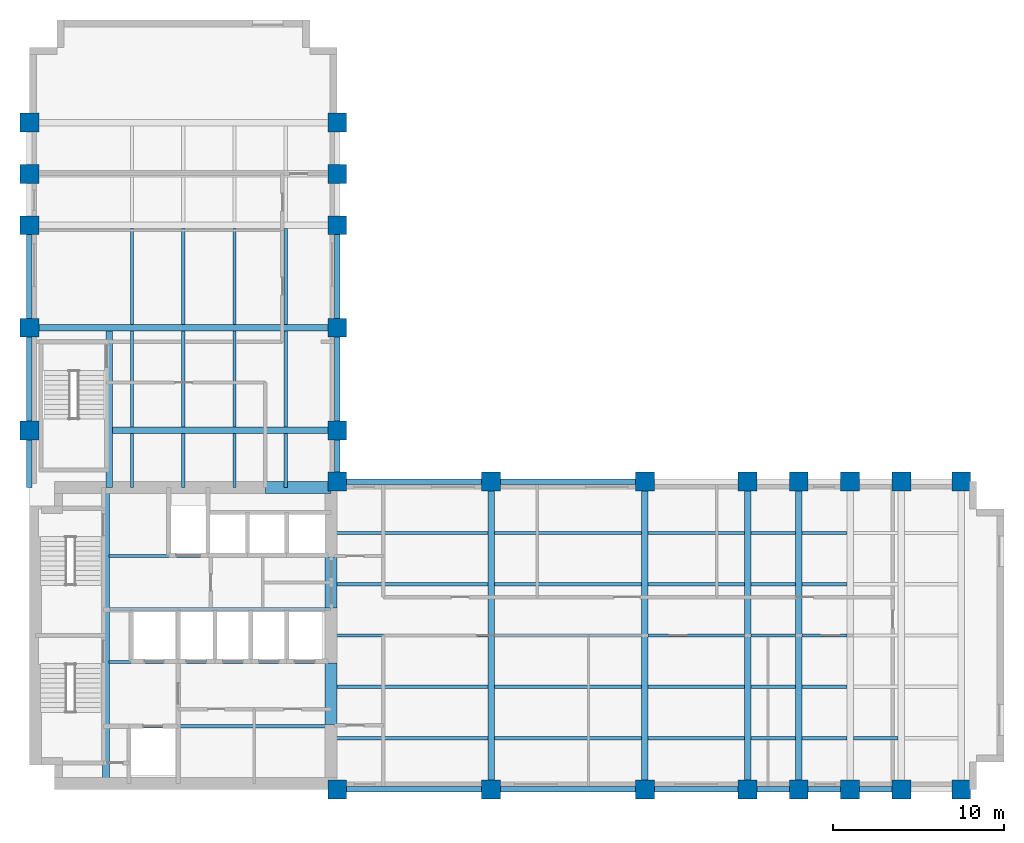
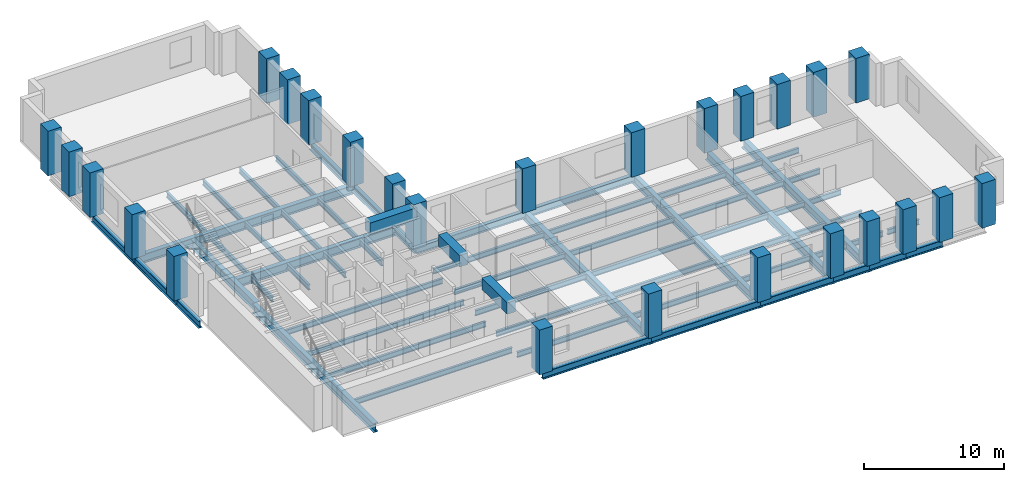
# One storey, part 1 of 7: 67 beams, 26 columns.
"""IFC4 building model written with IfcOpenShell, lengths in metres."""

from ifc_helpers import new_model, si_unit, direction, frame, origin, origin_2d, place, context, subcontext, project, spatial, rectangle, i_section, extrude, material, material_profile, profile_set, type_object, element, save


model = new_model("IFC4")

# Units and contexts
model_context = context("Model", 3, precision=1e-05, world=origin(), true_north=direction((0.0, 1.0)))
body_context = subcontext(model_context, "Body", "Model", "MODEL_VIEW")
ifc_project = project(units=[si_unit("LENGTHUNIT", "METRE"), si_unit("AREAUNIT", "SQUARE_METRE"), si_unit("VOLUMEUNIT", "CUBIC_METRE"), si_unit("PLANEANGLEUNIT", "RADIAN"), si_unit("MASSUNIT", "GRAM", prefix="KILO")], contexts=[model_context])

# Site, building, storey
site_placement = place(None, origin())
site = spatial("IfcSite", under=ifc_project, at=site_placement, CompositionType="ELEMENT")
building_placement = place(site_placement, origin())
building = spatial("IfcBuilding", under=site, at=building_placement, Name="Mawjdan Bourse Tower", CompositionType="ELEMENT")
storey_placement = place(building_placement, frame((0.0, 0.0, 112.800048828125)))
storey = spatial("IfcBuildingStorey", under=building, at=storey_placement, Name="L26", CompositionType="ELEMENT", Elevation=112.800048828125)

# Columns
ifc_material_1 = material(Name="Concrete C70/85", Category="concrete")
ifc_material_profile_1 = material_profile(ifc_material_1, rectangle(XDim=1.10009765625, YDim=1.10009765625, at=origin_2d()), Name="RC1100X1100")
ifc_profile_set_1 = profile_set([ifc_material_profile_1], Name="Concrete C70/85")
column_type = type_object("IfcColumnType", Name="COL-RC1100X1100", PredefinedType="COLUMN", material=ifc_profile_set_1)
for number, where, z_axis, x_axis, name in (
    (1, (24.0, 3.0, 0.0), (0.0, 0.0, 1.0), (1.0, 0.0, 0.0), "L26 Structural Column C-X240-Y30"),
    (2, (24.0, 21.0, 0.0), (0.0, 0.0, 1.0), (1.0, 0.0, 0.0), "L26 Structural Column C-X240-Y210"),
    (3, (33.0, 3.0, 0.0), (0.0, 0.0, 1.0), (1.0, 0.0, 0.0), "L26 Structural Column C-X330-Y30"),
    (4, (33.0, 21.0, 0.0), (0.0, 0.0, 1.0), (1.0, 0.0, 0.0), "L26 Structural Column C-X330-Y210"),
    (5, (42.0, 3.0, 0.0), (0.0, 0.0, 1.0), (1.0, 0.0, 0.0), "L26 Structural Column C-X420-Y30"),
    (6, (42.0, 21.0, 0.0), (0.0, 0.0, 1.0), (1.0, 0.0, 0.0), "L26 Structural Column C-X420-Y210"),
    (7, (48.0, 3.0, 0.0), (0.0, 0.0, 1.0), (1.0, 0.0, 0.0), "L26 Structural Column C-X480-Y30"),
    (8, (48.0, 21.0, 0.0), (0.0, 0.0, 1.0), (1.0, 0.0, 0.0), "L26 Structural Column C-X480-Y210"),
    (9, (51.0, 3.0, 0.0), (0.0, 0.0, 1.0), (1.0, 0.0, 0.0), "L26 Structural Column C-X510-Y30"),
    (10, (51.0, 21.0, 0.0), (0.0, 0.0, 1.0), (1.0, 0.0, 0.0), "L26 Structural Column C-X510-Y210"),
    (11, (54.0, 3.0, 0.0), (0.0, 0.0, 1.0), (1.0, 0.0, 0.0), "L26 Structural Column C-X540-Y30"),
    (12, (54.0, 21.0, 0.0), (0.0, 0.0, 1.0), (1.0, 0.0, 0.0), "L26 Structural Column C-X540-Y210"),
    (13, (57.0, 3.0, 0.0), (0.0, 0.0, 1.0), (1.0, 0.0, 0.0), "L26 Structural Column C-X570-Y30"),
    (14, (57.0, 21.0, 0.0), (0.0, 0.0, 1.0), (1.0, 0.0, 0.0), "L26 Structural Column C-X570-Y210"),
    (15, (60.5, 3.0, 0.0), (0.0, 0.0, 1.0), (1.0, 0.0, 0.0), "L26 Structural Column C-X605-Y30"),
    (16, (60.5, 21.0, 0.0), (0.0, 0.0, 1.0), (1.0, 0.0, 0.0), "L26 Structural Column C-X605-Y210"),
    (17, (6.0, 24.0, 0.0), (0.0, 0.0, 1.0), (1.0, 0.0, 0.0), "L26 Structural Column C-X60-Y240"),
    (18, (24.0, 24.0, 0.0), (0.0, 0.0, 1.0), (1.0, 0.0, 0.0), "L26 Structural Column C-X240-Y240"),
    (19, (6.0, 30.0, 0.0), (0.0, 0.0, 1.0), (1.0, 0.0, 0.0), "L26 Structural Column C-X60-Y300"),
    (20, (24.0, 30.0, 0.0), (0.0, 0.0, 1.0), (1.0, 0.0, 0.0), "L26 Structural Column C-X240-Y300"),
    (21, (6.0, 36.0, 0.0), (0.0, 0.0, 1.0), (1.0, 0.0, 0.0), "L26 Structural Column C-X60-Y360"),
    (22, (24.0, 36.0, 0.0), (0.0, 0.0, 1.0), (1.0, 0.0, 0.0), "L26 Structural Column C-X240-Y360"),
    (23, (6.0, 39.0, 0.0), (0.0, 0.0, 1.0), (1.0, 0.0, 0.0), "L26 Structural Column C-X60-Y390"),
    (24, (24.0, 39.0, 0.0), (0.0, 0.0, 1.0), (1.0, 0.0, 0.0), "L26 Structural Column C-X240-Y390"),
    (25, (6.0, 42.0, 0.0), (0.0, 0.0, 1.0), (1.0, 0.0, 0.0), "L26 Structural Column C-X60-Y420"),
    (26, (24.0, 42.0, 0.0), (0.0, 0.0, 1.0), (1.0, 0.0, 0.0), "L26 Structural Column C-X240-Y420"),
):
    element("IfcColumn", number, at=place(storey_placement, frame(where, z_axis=z_axis, x_axis=x_axis)), inside=storey, type_object=column_type, Name=name, PredefinedType="COLUMN", context=body_context, shape_type="SweptSolid", body=[
        extrude(rectangle(XDim=1.10009765625, YDim=1.10009765625, at=origin_2d()), origin(), (0.0, 0.0, 1.0), 3.89990234375),
    ])

# Beams
ifc_material_2 = material(Name="Structural Steel S355", Category="steel")
ifc_material_profile_2 = material_profile(ifc_material_2, i_section(OverallWidth=0.381103515625, OverallDepth=0.77294921875, WebThickness=0.0166015625, FlangeThickness=0.027099609375, FilletRadius=0.021728515625, at=origin_2d()), Name="W30X173")
ifc_profile_set_2 = profile_set([ifc_material_profile_2], Name="Structural Steel S355")
beam_type_1 = type_object("IfcBeamType", Name="GRD-W30X173", PredefinedType="BEAM", material=ifc_profile_set_2)
beam_1_placement = place(storey_placement, frame((10.47998046875, 3.35009765625, -0.586669921875), z_axis=(0.0, 1.0, 0.0), x_axis=(-1.0, 0.0, 0.0)))
element("IfcBeam", 27, at=beam_1_placement, inside=storey, type_object=beam_type_1, Name="L26 Core Stair Trimmer Girder 001", PredefinedType="BEAM", context=body_context, shape_type="SweptSolid", body=[
    extrude(i_section(OverallWidth=0.381103515625, OverallDepth=0.77294921875, WebThickness=0.0166015625, FlangeThickness=0.027099609375, FilletRadius=0.021728515625, at=origin_2d()), origin(), (0.0, 0.0, 1.0), 17.2998046875),
])
for number, where, z_axis, x_axis, name in (
    (28, (33.0, 3.0, -0.586669921875), (0.0, 1.0, 0.0), (-1.0, 0.0, 0.0), "L26 East Wing Clear-Span Girder 002"),
    (29, (42.0, 3.0, -0.586669921875), (0.0, 1.0, 0.0), (-1.0, 0.0, 0.0), "L26 East Wing Clear-Span Girder 003"),
    (30, (48.0, 3.0, -0.586669921875), (0.0, 1.0, 0.0), (-1.0, 0.0, 0.0), "L26 East Wing Clear-Span Girder 004"),
    (31, (51.0, 3.0, -0.586669921875), (0.0, 1.0, 0.0), (-1.0, 0.0, 0.0), "L26 East Wing Clear-Span Girder 005"),
):
    element("IfcBeam", number, at=place(storey_placement, frame(where, z_axis=z_axis, x_axis=x_axis)), inside=storey, type_object=beam_type_1, Name=name, PredefinedType="BEAM", context=body_context, shape_type="SweptSolid", body=[
        extrude(i_section(OverallWidth=0.381103515625, OverallDepth=0.77294921875, WebThickness=0.0166015625, FlangeThickness=0.027099609375, FilletRadius=0.021728515625, at=origin_2d()), origin(), (0.0, 0.0, 1.0), 18.0),
    ])
beam_2_placement = place(storey_placement, frame((10.679931640625, 20.64990234375, -0.586669921875), z_axis=(0.0, 1.0, 0.0), x_axis=(-1.0, 0.0, 0.0)))
element("IfcBeam", 32, at=beam_2_placement, inside=storey, type_object=beam_type_1, Name="L26 North Wing Stair Trimmer Girder 062", PredefinedType="BEAM", context=body_context, shape_type="SweptSolid", body=[
    extrude(i_section(OverallWidth=0.381103515625, OverallDepth=0.77294921875, WebThickness=0.0166015625, FlangeThickness=0.027099609375, FilletRadius=0.021728515625, at=origin_2d()), origin(), (0.0, 0.0, 1.0), 9.16162109375),
])
beam_3_placement = place(storey_placement, frame((10.868408203125, 24.0, -0.586669921875), z_axis=(1.0, 0.0, 0.0), x_axis=(0.0, 1.0, 0.0)))
element("IfcBeam", 33, at=beam_3_placement, inside=storey, type_object=beam_type_1, Name="L26 North Wing Clear-Span Girder 063", PredefinedType="BEAM", context=body_context, shape_type="SweptSolid", body=[
    extrude(i_section(OverallWidth=0.381103515625, OverallDepth=0.77294921875, WebThickness=0.0166015625, FlangeThickness=0.027099609375, FilletRadius=0.021728515625, at=origin_2d()), origin(), (0.0, 0.0, 1.0), 13.131591796875),
])
beam_4_placement = place(storey_placement, frame((6.0, 30.0, -0.586669921875), z_axis=(1.0, 0.0, 0.0), x_axis=(0.0, 1.0, 0.0)))
element("IfcBeam", 34, at=beam_4_placement, inside=storey, type_object=beam_type_1, Name="L26 North Wing Clear-Span Girder 064", PredefinedType="BEAM", context=body_context, shape_type="SweptSolid", body=[
    extrude(i_section(OverallWidth=0.381103515625, OverallDepth=0.77294921875, WebThickness=0.0166015625, FlangeThickness=0.027099609375, FilletRadius=0.021728515625, at=origin_2d()), origin(), (0.0, 0.0, 1.0), 18.0),
])
ifc_material_profile_3 = material_profile(ifc_material_2, i_section(OverallWidth=0.19189453125, OverallDepth=0.462890625, WebThickness=0.010498046875, FlangeThickness=0.017578125, FilletRadius=0.01416015625, at=origin_2d()), Name="W18X60")
ifc_profile_set_3 = profile_set([ifc_material_profile_3], Name="Structural Steel S355")
beam_type_2 = type_object("IfcBeamType", Name="JST-W18X60", PredefinedType="JOIST", material=ifc_profile_set_3)
beam_5_placement = place(storey_placement, frame((23.64990234375, 6.0, -0.431640625), z_axis=(1.0, 0.0, 0.0), x_axis=(0.0, 1.0, 0.0)))
element("IfcBeam", 35, at=beam_5_placement, inside=storey, type_object=beam_type_2, Name="L26 East Wing Composite Joist 023", PredefinedType="JOIST", context=body_context, shape_type="SweptSolid", body=[
    extrude(i_section(OverallWidth=0.19189453125, OverallDepth=0.462890625, WebThickness=0.010498046875, FlangeThickness=0.017578125, FilletRadius=0.01416015625, at=origin_2d()), origin(), (0.0, 0.0, 1.0), 9.16162109375),
])
beam_6_placement = place(storey_placement, frame((33.1884765625, 6.0, -0.431640625), z_axis=(1.0, 0.0, 0.0), x_axis=(0.0, 1.0, 0.0)))
element("IfcBeam", 36, at=beam_6_placement, inside=storey, type_object=beam_type_2, Name="L26 East Wing Composite Joist 024", PredefinedType="JOIST", context=body_context, shape_type="SweptSolid", body=[
    extrude(i_section(OverallWidth=0.19189453125, OverallDepth=0.462890625, WebThickness=0.010498046875, FlangeThickness=0.017578125, FilletRadius=0.01416015625, at=origin_2d()), origin(), (0.0, 0.0, 1.0), 8.623046875),
])
beam_7_placement = place(storey_placement, frame((42.1884765625, 6.0, -0.431640625), z_axis=(1.0, 0.0, 0.0), x_axis=(0.0, 1.0, 0.0)))
element("IfcBeam", 37, at=beam_7_placement, inside=storey, type_object=beam_type_2, Name="L26 East Wing Composite Joist 025", PredefinedType="JOIST", context=body_context, shape_type="SweptSolid", body=[
    extrude(i_section(OverallWidth=0.19189453125, OverallDepth=0.462890625, WebThickness=0.010498046875, FlangeThickness=0.017578125, FilletRadius=0.01416015625, at=origin_2d()), origin(), (0.0, 0.0, 1.0), 5.623046875),
])
for number, where, z_axis, x_axis, name in (
    (38, (48.1884765625, 6.0, -0.431640625), (1.0, 0.0, 0.0), (0.0, 1.0, 0.0), "L26 East Wing Composite Joist 026"),
    (39, (51.1884765625, 6.0, -0.431640625), (1.0, 0.0, 0.0), (0.0, 1.0, 0.0), "L26 East Wing Composite Joist 027"),
    (40, (54.1884765625, 6.0, -0.431640625), (1.0, 0.0, 0.0), (0.0, 1.0, 0.0), "L26 East Wing Composite Joist 028"),
):
    element("IfcBeam", number, at=place(storey_placement, frame(where, z_axis=z_axis, x_axis=x_axis)), inside=storey, type_object=beam_type_2, Name=name, PredefinedType="JOIST", context=body_context, shape_type="SweptSolid", body=[
        extrude(i_section(OverallWidth=0.19189453125, OverallDepth=0.462890625, WebThickness=0.010498046875, FlangeThickness=0.017578125, FilletRadius=0.01416015625, at=origin_2d()), origin(), (0.0, 0.0, 1.0), 2.623046875),
    ])
beam_8_placement = place(storey_placement, frame((23.64990234375, 9.0, -0.431640625), z_axis=(1.0, 0.0, 0.0), x_axis=(0.0, 1.0, 0.0)))
element("IfcBeam", 41, at=beam_8_placement, inside=storey, type_object=beam_type_2, Name="L26 East Wing Composite Joist 030", PredefinedType="JOIST", context=body_context, shape_type="SweptSolid", body=[
    extrude(i_section(OverallWidth=0.19189453125, OverallDepth=0.462890625, WebThickness=0.010498046875, FlangeThickness=0.017578125, FilletRadius=0.01416015625, at=origin_2d()), origin(), (0.0, 0.0, 1.0), 9.16162109375),
])
beam_9_placement = place(storey_placement, frame((33.1884765625, 9.0, -0.431640625), z_axis=(1.0, 0.0, 0.0), x_axis=(0.0, 1.0, 0.0)))
element("IfcBeam", 42, at=beam_9_placement, inside=storey, type_object=beam_type_2, Name="L26 East Wing Composite Joist 031", PredefinedType="JOIST", context=body_context, shape_type="SweptSolid", body=[
    extrude(i_section(OverallWidth=0.19189453125, OverallDepth=0.462890625, WebThickness=0.010498046875, FlangeThickness=0.017578125, FilletRadius=0.01416015625, at=origin_2d()), origin(), (0.0, 0.0, 1.0), 8.623046875),
])
beam_10_placement = place(storey_placement, frame((42.1884765625, 9.0, -0.431640625), z_axis=(1.0, 0.0, 0.0), x_axis=(0.0, 1.0, 0.0)))
element("IfcBeam", 43, at=beam_10_placement, inside=storey, type_object=beam_type_2, Name="L26 East Wing Composite Joist 032", PredefinedType="JOIST", context=body_context, shape_type="SweptSolid", body=[
    extrude(i_section(OverallWidth=0.19189453125, OverallDepth=0.462890625, WebThickness=0.010498046875, FlangeThickness=0.017578125, FilletRadius=0.01416015625, at=origin_2d()), origin(), (0.0, 0.0, 1.0), 5.623046875),
])
for number, where, z_axis, x_axis, name in (
    (44, (48.1884765625, 9.0, -0.431640625), (1.0, 0.0, 0.0), (0.0, 1.0, 0.0), "L26 East Wing Composite Joist 033"),
    (45, (51.1884765625, 9.0, -0.431640625), (1.0, 0.0, 0.0), (0.0, 1.0, 0.0), "L26 East Wing Composite Joist 034"),
):
    element("IfcBeam", number, at=place(storey_placement, frame(where, z_axis=z_axis, x_axis=x_axis)), inside=storey, type_object=beam_type_2, Name=name, PredefinedType="JOIST", context=body_context, shape_type="SweptSolid", body=[
        extrude(i_section(OverallWidth=0.19189453125, OverallDepth=0.462890625, WebThickness=0.010498046875, FlangeThickness=0.017578125, FilletRadius=0.01416015625, at=origin_2d()), origin(), (0.0, 0.0, 1.0), 2.623046875),
    ])
beam_11_placement = place(storey_placement, frame((23.64990234375, 12.0, -0.431640625), z_axis=(1.0, 0.0, 0.0), x_axis=(0.0, 1.0, 0.0)))
element("IfcBeam", 46, at=beam_11_placement, inside=storey, type_object=beam_type_2, Name="L26 East Wing Composite Joist 037", PredefinedType="JOIST", context=body_context, shape_type="SweptSolid", body=[
    extrude(i_section(OverallWidth=0.19189453125, OverallDepth=0.462890625, WebThickness=0.010498046875, FlangeThickness=0.017578125, FilletRadius=0.01416015625, at=origin_2d()), origin(), (0.0, 0.0, 1.0), 9.16162109375),
])
beam_12_placement = place(storey_placement, frame((33.1884765625, 12.0, -0.431640625), z_axis=(1.0, 0.0, 0.0), x_axis=(0.0, 1.0, 0.0)))
element("IfcBeam", 47, at=beam_12_placement, inside=storey, type_object=beam_type_2, Name="L26 East Wing Composite Joist 038", PredefinedType="JOIST", context=body_context, shape_type="SweptSolid", body=[
    extrude(i_section(OverallWidth=0.19189453125, OverallDepth=0.462890625, WebThickness=0.010498046875, FlangeThickness=0.017578125, FilletRadius=0.01416015625, at=origin_2d()), origin(), (0.0, 0.0, 1.0), 8.623046875),
])
beam_13_placement = place(storey_placement, frame((42.1884765625, 12.0, -0.431640625), z_axis=(1.0, 0.0, 0.0), x_axis=(0.0, 1.0, 0.0)))
element("IfcBeam", 48, at=beam_13_placement, inside=storey, type_object=beam_type_2, Name="L26 East Wing Composite Joist 039", PredefinedType="JOIST", context=body_context, shape_type="SweptSolid", body=[
    extrude(i_section(OverallWidth=0.19189453125, OverallDepth=0.462890625, WebThickness=0.010498046875, FlangeThickness=0.017578125, FilletRadius=0.01416015625, at=origin_2d()), origin(), (0.0, 0.0, 1.0), 5.623046875),
])
for number, where, z_axis, x_axis, name in (
    (49, (48.1884765625, 12.0, -0.431640625), (1.0, 0.0, 0.0), (0.0, 1.0, 0.0), "L26 East Wing Composite Joist 040"),
    (50, (51.1884765625, 12.0, -0.431640625), (1.0, 0.0, 0.0), (0.0, 1.0, 0.0), "L26 East Wing Composite Joist 041"),
):
    element("IfcBeam", number, at=place(storey_placement, frame(where, z_axis=z_axis, x_axis=x_axis)), inside=storey, type_object=beam_type_2, Name=name, PredefinedType="JOIST", context=body_context, shape_type="SweptSolid", body=[
        extrude(i_section(OverallWidth=0.19189453125, OverallDepth=0.462890625, WebThickness=0.010498046875, FlangeThickness=0.017578125, FilletRadius=0.01416015625, at=origin_2d()), origin(), (0.0, 0.0, 1.0), 2.623046875),
    ])
beam_14_placement = place(storey_placement, frame((23.64990234375, 15.0, -0.431640625), z_axis=(1.0, 0.0, 0.0), x_axis=(0.0, 1.0, 0.0)))
element("IfcBeam", 51, at=beam_14_placement, inside=storey, type_object=beam_type_2, Name="L26 East Wing Composite Joist 044", PredefinedType="JOIST", context=body_context, shape_type="SweptSolid", body=[
    extrude(i_section(OverallWidth=0.19189453125, OverallDepth=0.462890625, WebThickness=0.010498046875, FlangeThickness=0.017578125, FilletRadius=0.01416015625, at=origin_2d()), origin(), (0.0, 0.0, 1.0), 9.16162109375),
])
beam_15_placement = place(storey_placement, frame((33.1884765625, 15.0, -0.431640625), z_axis=(1.0, 0.0, 0.0), x_axis=(0.0, 1.0, 0.0)))
element("IfcBeam", 52, at=beam_15_placement, inside=storey, type_object=beam_type_2, Name="L26 East Wing Composite Joist 045", PredefinedType="JOIST", context=body_context, shape_type="SweptSolid", body=[
    extrude(i_section(OverallWidth=0.19189453125, OverallDepth=0.462890625, WebThickness=0.010498046875, FlangeThickness=0.017578125, FilletRadius=0.01416015625, at=origin_2d()), origin(), (0.0, 0.0, 1.0), 8.623046875),
])
beam_16_placement = place(storey_placement, frame((42.1884765625, 15.0, -0.431640625), z_axis=(1.0, 0.0, 0.0), x_axis=(0.0, 1.0, 0.0)))
element("IfcBeam", 53, at=beam_16_placement, inside=storey, type_object=beam_type_2, Name="L26 East Wing Composite Joist 046", PredefinedType="JOIST", context=body_context, shape_type="SweptSolid", body=[
    extrude(i_section(OverallWidth=0.19189453125, OverallDepth=0.462890625, WebThickness=0.010498046875, FlangeThickness=0.017578125, FilletRadius=0.01416015625, at=origin_2d()), origin(), (0.0, 0.0, 1.0), 5.623046875),
])
for number, where, z_axis, x_axis, name in (
    (54, (48.1884765625, 15.0, -0.431640625), (1.0, 0.0, 0.0), (0.0, 1.0, 0.0), "L26 East Wing Composite Joist 047"),
    (55, (51.1884765625, 15.0, -0.431640625), (1.0, 0.0, 0.0), (0.0, 1.0, 0.0), "L26 East Wing Composite Joist 048"),
):
    element("IfcBeam", number, at=place(storey_placement, frame(where, z_axis=z_axis, x_axis=x_axis)), inside=storey, type_object=beam_type_2, Name=name, PredefinedType="JOIST", context=body_context, shape_type="SweptSolid", body=[
        extrude(i_section(OverallWidth=0.19189453125, OverallDepth=0.462890625, WebThickness=0.010498046875, FlangeThickness=0.017578125, FilletRadius=0.01416015625, at=origin_2d()), origin(), (0.0, 0.0, 1.0), 2.623046875),
    ])
beam_17_placement = place(storey_placement, frame((23.64990234375, 18.0, -0.431640625), z_axis=(1.0, 0.0, 0.0), x_axis=(0.0, 1.0, 0.0)))
element("IfcBeam", 56, at=beam_17_placement, inside=storey, type_object=beam_type_2, Name="L26 East Wing Composite Joist 051", PredefinedType="JOIST", context=body_context, shape_type="SweptSolid", body=[
    extrude(i_section(OverallWidth=0.19189453125, OverallDepth=0.462890625, WebThickness=0.010498046875, FlangeThickness=0.017578125, FilletRadius=0.01416015625, at=origin_2d()), origin(), (0.0, 0.0, 1.0), 9.16162109375),
])
beam_18_placement = place(storey_placement, frame((33.1884765625, 18.0, -0.431640625), z_axis=(1.0, 0.0, 0.0), x_axis=(0.0, 1.0, 0.0)))
element("IfcBeam", 57, at=beam_18_placement, inside=storey, type_object=beam_type_2, Name="L26 East Wing Composite Joist 052", PredefinedType="JOIST", context=body_context, shape_type="SweptSolid", body=[
    extrude(i_section(OverallWidth=0.19189453125, OverallDepth=0.462890625, WebThickness=0.010498046875, FlangeThickness=0.017578125, FilletRadius=0.01416015625, at=origin_2d()), origin(), (0.0, 0.0, 1.0), 8.623046875),
])
beam_19_placement = place(storey_placement, frame((42.1884765625, 18.0, -0.431640625), z_axis=(1.0, 0.0, 0.0), x_axis=(0.0, 1.0, 0.0)))
element("IfcBeam", 58, at=beam_19_placement, inside=storey, type_object=beam_type_2, Name="L26 East Wing Composite Joist 053", PredefinedType="JOIST", context=body_context, shape_type="SweptSolid", body=[
    extrude(i_section(OverallWidth=0.19189453125, OverallDepth=0.462890625, WebThickness=0.010498046875, FlangeThickness=0.017578125, FilletRadius=0.01416015625, at=origin_2d()), origin(), (0.0, 0.0, 1.0), 5.623046875),
])
for number, where, z_axis, x_axis, name in (
    (59, (48.1884765625, 18.0, -0.431640625), (1.0, 0.0, 0.0), (0.0, 1.0, 0.0), "L26 East Wing Composite Joist 054"),
    (60, (51.1884765625, 18.0, -0.431640625), (1.0, 0.0, 0.0), (0.0, 1.0, 0.0), "L26 East Wing Composite Joist 055"),
):
    element("IfcBeam", number, at=place(storey_placement, frame(where, z_axis=z_axis, x_axis=x_axis)), inside=storey, type_object=beam_type_2, Name=name, PredefinedType="JOIST", context=body_context, shape_type="SweptSolid", body=[
        extrude(i_section(OverallWidth=0.19189453125, OverallDepth=0.462890625, WebThickness=0.010498046875, FlangeThickness=0.017578125, FilletRadius=0.01416015625, at=origin_2d()), origin(), (0.0, 0.0, 1.0), 2.623046875),
    ])
for number, where, z_axis, x_axis, name in (
    (61, (10.66845703125, 6.699951171875, -0.431640625), (1.0, 0.0, 0.0), (0.0, 1.0, 0.0), "L26 Core Floor Joist 058"),
    (62, (10.66845703125, 10.449951171875, -0.431640625), (1.0, 0.0, 0.0), (0.0, 1.0, 0.0), "L26 Core Floor Joist 059"),
    (63, (10.66845703125, 13.550048828125, -0.431640625), (1.0, 0.0, 0.0), (0.0, 1.0, 0.0), "L26 Core Floor Joist 060"),
    (64, (10.66845703125, 16.64990234375, -0.431640625), (1.0, 0.0, 0.0), (0.0, 1.0, 0.0), "L26 Core Floor Joist 061"),
):
    element("IfcBeam", number, at=place(storey_placement, frame(where, z_axis=z_axis, x_axis=x_axis)), inside=storey, type_object=beam_type_2, Name=name, PredefinedType="JOIST", context=body_context, shape_type="SweptSolid", body=[
        extrude(i_section(OverallWidth=0.19189453125, OverallDepth=0.462890625, WebThickness=0.010498046875, FlangeThickness=0.017578125, FilletRadius=0.01416015625, at=origin_2d()), origin(), (0.0, 0.0, 1.0), 12.9814453125),
    ])
beam_20_placement = place(storey_placement, frame((12.0, 20.64990234375, -0.431640625), z_axis=(0.0, 1.0, 0.0), x_axis=(-1.0, 0.0, 0.0)))
element("IfcBeam", 65, at=beam_20_placement, inside=storey, type_object=beam_type_2, Name="L26 North Wing Composite Joist 078", PredefinedType="JOIST", context=body_context, shape_type="SweptSolid", body=[
    extrude(i_section(OverallWidth=0.19189453125, OverallDepth=0.462890625, WebThickness=0.010498046875, FlangeThickness=0.017578125, FilletRadius=0.01416015625, at=origin_2d()), origin(), (0.0, 0.0, 1.0), 3.16162109375),
])
for number, where, z_axis, x_axis, name in (
    (66, (12.0, 24.1884765625, -0.431640625), (0.0, 1.0, 0.0), (-1.0, 0.0, 0.0), "L26 North Wing Composite Joist 079"),
    (67, (12.0, 30.1884765625, -0.431640625), (0.0, 1.0, 0.0), (-1.0, 0.0, 0.0), "L26 North Wing Composite Joist 080"),
):
    element("IfcBeam", number, at=place(storey_placement, frame(where, z_axis=z_axis, x_axis=x_axis)), inside=storey, type_object=beam_type_2, Name=name, PredefinedType="JOIST", context=body_context, shape_type="SweptSolid", body=[
        extrude(i_section(OverallWidth=0.19189453125, OverallDepth=0.462890625, WebThickness=0.010498046875, FlangeThickness=0.017578125, FilletRadius=0.01416015625, at=origin_2d()), origin(), (0.0, 0.0, 1.0), 5.623046875),
    ])
beam_21_placement = place(storey_placement, frame((15.0, 20.64990234375, -0.431640625), z_axis=(0.0, 1.0, 0.0), x_axis=(-1.0, 0.0, 0.0)))
element("IfcBeam", 68, at=beam_21_placement, inside=storey, type_object=beam_type_2, Name="L26 North Wing Composite Joist 083", PredefinedType="JOIST", context=body_context, shape_type="SweptSolid", body=[
    extrude(i_section(OverallWidth=0.19189453125, OverallDepth=0.462890625, WebThickness=0.010498046875, FlangeThickness=0.017578125, FilletRadius=0.01416015625, at=origin_2d()), origin(), (0.0, 0.0, 1.0), 3.16162109375),
])
for number, where, z_axis, x_axis, name in (
    (69, (15.0, 24.1884765625, -0.431640625), (0.0, 1.0, 0.0), (-1.0, 0.0, 0.0), "L26 North Wing Composite Joist 084"),
    (70, (15.0, 30.1884765625, -0.431640625), (0.0, 1.0, 0.0), (-1.0, 0.0, 0.0), "L26 North Wing Composite Joist 085"),
):
    element("IfcBeam", number, at=place(storey_placement, frame(where, z_axis=z_axis, x_axis=x_axis)), inside=storey, type_object=beam_type_2, Name=name, PredefinedType="JOIST", context=body_context, shape_type="SweptSolid", body=[
        extrude(i_section(OverallWidth=0.19189453125, OverallDepth=0.462890625, WebThickness=0.010498046875, FlangeThickness=0.017578125, FilletRadius=0.01416015625, at=origin_2d()), origin(), (0.0, 0.0, 1.0), 5.623046875),
    ])
beam_22_placement = place(storey_placement, frame((18.0, 20.64990234375, -0.431640625), z_axis=(0.0, 1.0, 0.0), x_axis=(-1.0, 0.0, 0.0)))
element("IfcBeam", 71, at=beam_22_placement, inside=storey, type_object=beam_type_2, Name="L26 North Wing Composite Joist 088", PredefinedType="JOIST", context=body_context, shape_type="SweptSolid", body=[
    extrude(i_section(OverallWidth=0.19189453125, OverallDepth=0.462890625, WebThickness=0.010498046875, FlangeThickness=0.017578125, FilletRadius=0.01416015625, at=origin_2d()), origin(), (0.0, 0.0, 1.0), 3.16162109375),
])
for number, where, z_axis, x_axis, name in (
    (72, (18.0, 24.1884765625, -0.431640625), (0.0, 1.0, 0.0), (-1.0, 0.0, 0.0), "L26 North Wing Composite Joist 089"),
    (73, (18.0, 30.1884765625, -0.431640625), (0.0, 1.0, 0.0), (-1.0, 0.0, 0.0), "L26 North Wing Composite Joist 090"),
):
    element("IfcBeam", number, at=place(storey_placement, frame(where, z_axis=z_axis, x_axis=x_axis)), inside=storey, type_object=beam_type_2, Name=name, PredefinedType="JOIST", context=body_context, shape_type="SweptSolid", body=[
        extrude(i_section(OverallWidth=0.19189453125, OverallDepth=0.462890625, WebThickness=0.010498046875, FlangeThickness=0.017578125, FilletRadius=0.01416015625, at=origin_2d()), origin(), (0.0, 0.0, 1.0), 5.623046875),
    ])
beam_23_placement = place(storey_placement, frame((21.0, 20.64990234375, -0.431640625), z_axis=(0.0, 1.0, 0.0), x_axis=(-1.0, 0.0, 0.0)))
element("IfcBeam", 74, at=beam_23_placement, inside=storey, type_object=beam_type_2, Name="L26 North Wing Composite Joist 093", PredefinedType="JOIST", context=body_context, shape_type="SweptSolid", body=[
    extrude(i_section(OverallWidth=0.19189453125, OverallDepth=0.462890625, WebThickness=0.010498046875, FlangeThickness=0.017578125, FilletRadius=0.01416015625, at=origin_2d()), origin(), (0.0, 0.0, 1.0), 3.16162109375),
])
for number, where, z_axis, x_axis, name in (
    (75, (21.0, 24.1884765625, -0.431640625), (0.0, 1.0, 0.0), (-1.0, 0.0, 0.0), "L26 North Wing Composite Joist 094"),
    (76, (21.0, 30.1884765625, -0.431640625), (0.0, 1.0, 0.0), (-1.0, 0.0, 0.0), "L26 North Wing Composite Joist 095"),
):
    element("IfcBeam", number, at=place(storey_placement, frame(where, z_axis=z_axis, x_axis=x_axis)), inside=storey, type_object=beam_type_2, Name=name, PredefinedType="JOIST", context=body_context, shape_type="SweptSolid", body=[
        extrude(i_section(OverallWidth=0.19189453125, OverallDepth=0.462890625, WebThickness=0.010498046875, FlangeThickness=0.017578125, FilletRadius=0.01416015625, at=origin_2d()), origin(), (0.0, 0.0, 1.0), 5.623046875),
    ])
ifc_material_profile_4 = material_profile(ifc_material_1, rectangle(XDim=0.699951171875, YDim=1.0, at=origin_2d()), Name="RCB700X1000")
ifc_profile_set_4 = profile_set([ifc_material_profile_4], Name="Concrete C70/85")
beam_type_3 = type_object("IfcBeamType", Name="LNT-RCB700X1000", PredefinedType="LINTEL", material=ifc_profile_set_4)
beam_24_placement = place(storey_placement, frame((23.64990234375, 6.800048828125, 3.199951171875), z_axis=(0.0, 1.0, 0.0), x_axis=(-1.0, 0.0, 0.0)))
element("IfcBeam", 77, at=beam_24_placement, inside=storey, type_object=beam_type_3, Name="L26 Coupled Core Lintel CB-E1", PredefinedType="LINTEL", context=body_context, shape_type="SweptSolid", body=[
    extrude(rectangle(XDim=0.699951171875, YDim=1.0, at=origin_2d()), origin(), (0.0, 0.0, 1.0), 3.599853515625),
])
beam_25_placement = place(storey_placement, frame((23.64990234375, 13.60009765625, 3.199951171875), z_axis=(0.0, 1.0, 0.0), x_axis=(-1.0, 0.0, 0.0)))
element("IfcBeam", 78, at=beam_25_placement, inside=storey, type_object=beam_type_3, Name="L26 Coupled Core Lintel CB-E2", PredefinedType="LINTEL", context=body_context, shape_type="SweptSolid", body=[
    extrude(rectangle(XDim=0.699951171875, YDim=1.0, at=origin_2d()), origin(), (0.0, 0.0, 1.0), 3.0),
])
beam_26_placement = place(storey_placement, frame((19.800048828125, 20.64990234375, 3.199951171875), z_axis=(1.0, 0.0, 0.0), x_axis=(0.0, 1.0, 0.0)))
element("IfcBeam", 79, at=beam_26_placement, inside=storey, type_object=beam_type_3, Name="L26 Coupled Core Lintel CB-N1", PredefinedType="LINTEL", context=body_context, shape_type="SweptSolid", body=[
    extrude(rectangle(XDim=0.699951171875, YDim=1.0, at=origin_2d()), origin(), (0.0, 0.0, 1.0), 3.849853515625),
])
ifc_material_profile_5 = material_profile(ifc_material_2, i_section(OverallWidth=0.324951171875, OverallDepth=0.616943359375, WebThickness=0.013916015625, FlangeThickness=0.021484375, FilletRadius=0.017333984375, at=origin_2d()), Name="W24X117")
ifc_profile_set_5 = profile_set([ifc_material_profile_5], Name="Structural Steel S355")
beam_type_4 = type_object("IfcBeamType", Name="SPN-W24X117", PredefinedType="SPANDREL", material=ifc_profile_set_5)
for number, where, z_axis, x_axis, name in (
    (80, (24.0, 3.0, -0.508544921875), (1.0, 0.0, 0.0), (0.0, 1.0, 0.0), "L26 Perimeter Masonry-Shelf Spandrel 009"),
    (81, (33.0, 3.0, -0.508544921875), (1.0, 0.0, 0.0), (0.0, 1.0, 0.0), "L26 Perimeter Masonry-Shelf Spandrel 010"),
):
    element("IfcBeam", number, at=place(storey_placement, frame(where, z_axis=z_axis, x_axis=x_axis)), inside=storey, type_object=beam_type_4, Name=name, PredefinedType="SPANDREL", context=body_context, shape_type="SweptSolid", body=[
        extrude(i_section(OverallWidth=0.324951171875, OverallDepth=0.616943359375, WebThickness=0.013916015625, FlangeThickness=0.021484375, FilletRadius=0.017333984375, at=origin_2d()), origin(), (0.0, 0.0, 1.0), 9.0),
    ])
beam_27_placement = place(storey_placement, frame((42.0, 3.0, -0.508544921875), z_axis=(1.0, 0.0, 0.0), x_axis=(0.0, 1.0, 0.0)))
element("IfcBeam", 82, at=beam_27_placement, inside=storey, type_object=beam_type_4, Name="L26 Perimeter Masonry-Shelf Spandrel 011", PredefinedType="SPANDREL", context=body_context, shape_type="SweptSolid", body=[
    extrude(i_section(OverallWidth=0.324951171875, OverallDepth=0.616943359375, WebThickness=0.013916015625, FlangeThickness=0.021484375, FilletRadius=0.017333984375, at=origin_2d()), origin(), (0.0, 0.0, 1.0), 6.0),
])
for number, where, z_axis, x_axis, name in (
    (83, (48.0, 3.0, -0.508544921875), (1.0, 0.0, 0.0), (0.0, 1.0, 0.0), "L26 Perimeter Masonry-Shelf Spandrel 012"),
    (84, (51.0, 3.0, -0.508544921875), (1.0, 0.0, 0.0), (0.0, 1.0, 0.0), "L26 Perimeter Masonry-Shelf Spandrel 013"),
    (85, (54.0, 3.0, -0.508544921875), (1.0, 0.0, 0.0), (0.0, 1.0, 0.0), "L26 Perimeter Masonry-Shelf Spandrel 014"),
):
    element("IfcBeam", number, at=place(storey_placement, frame(where, z_axis=z_axis, x_axis=x_axis)), inside=storey, type_object=beam_type_4, Name=name, PredefinedType="SPANDREL", context=body_context, shape_type="SweptSolid", body=[
        extrude(i_section(OverallWidth=0.324951171875, OverallDepth=0.616943359375, WebThickness=0.013916015625, FlangeThickness=0.021484375, FilletRadius=0.017333984375, at=origin_2d()), origin(), (0.0, 0.0, 1.0), 3.0),
    ])
for number, where, z_axis, x_axis, name in (
    (86, (24.0, 21.0, -0.508544921875), (1.0, 0.0, 0.0), (0.0, 1.0, 0.0), "L26 Perimeter Masonry-Shelf Spandrel 016"),
    (87, (33.0, 21.0, -0.508544921875), (1.0, 0.0, 0.0), (0.0, 1.0, 0.0), "L26 Perimeter Masonry-Shelf Spandrel 017"),
):
    element("IfcBeam", number, at=place(storey_placement, frame(where, z_axis=z_axis, x_axis=x_axis)), inside=storey, type_object=beam_type_4, Name=name, PredefinedType="SPANDREL", context=body_context, shape_type="SweptSolid", body=[
        extrude(i_section(OverallWidth=0.324951171875, OverallDepth=0.616943359375, WebThickness=0.013916015625, FlangeThickness=0.021484375, FilletRadius=0.017333984375, at=origin_2d()), origin(), (0.0, 0.0, 1.0), 9.0),
    ])
beam_28_placement = place(storey_placement, frame((6.0, 20.64990234375, -0.508544921875), z_axis=(0.0, 1.0, 0.0), x_axis=(-1.0, 0.0, 0.0)))
element("IfcBeam", 88, at=beam_28_placement, inside=storey, type_object=beam_type_4, Name="L26 North Wing Spandrel 068", PredefinedType="SPANDREL", context=body_context, shape_type="SweptSolid", body=[
    extrude(i_section(OverallWidth=0.324951171875, OverallDepth=0.616943359375, WebThickness=0.013916015625, FlangeThickness=0.021484375, FilletRadius=0.017333984375, at=origin_2d()), origin(), (0.0, 0.0, 1.0), 3.35009765625),
])
for number, where, z_axis, x_axis, name in (
    (89, (6.0, 24.0, -0.508544921875), (0.0, 1.0, 0.0), (-1.0, 0.0, 0.0), "L26 North Wing Spandrel 069"),
    (90, (6.0, 30.0, -0.508544921875), (0.0, 1.0, 0.0), (-1.0, 0.0, 0.0), "L26 North Wing Spandrel 070"),
):
    element("IfcBeam", number, at=place(storey_placement, frame(where, z_axis=z_axis, x_axis=x_axis)), inside=storey, type_object=beam_type_4, Name=name, PredefinedType="SPANDREL", context=body_context, shape_type="SweptSolid", body=[
        extrude(i_section(OverallWidth=0.324951171875, OverallDepth=0.616943359375, WebThickness=0.013916015625, FlangeThickness=0.021484375, FilletRadius=0.017333984375, at=origin_2d()), origin(), (0.0, 0.0, 1.0), 6.0),
    ])
beam_29_placement = place(storey_placement, frame((24.0, 21.0, -0.508544921875), z_axis=(0.0, 1.0, 0.0), x_axis=(-1.0, 0.0, 0.0)))
element("IfcBeam", 91, at=beam_29_placement, inside=storey, type_object=beam_type_4, Name="L26 North Wing Spandrel 073", PredefinedType="SPANDREL", context=body_context, shape_type="SweptSolid", body=[
    extrude(i_section(OverallWidth=0.324951171875, OverallDepth=0.616943359375, WebThickness=0.013916015625, FlangeThickness=0.021484375, FilletRadius=0.017333984375, at=origin_2d()), origin(), (0.0, 0.0, 1.0), 3.0),
])
for number, where, z_axis, x_axis, name in (
    (92, (24.0, 24.0, -0.508544921875), (0.0, 1.0, 0.0), (-1.0, 0.0, 0.0), "L26 North Wing Spandrel 074"),
    (93, (24.0, 30.0, -0.508544921875), (0.0, 1.0, 0.0), (-1.0, 0.0, 0.0), "L26 North Wing Spandrel 075"),
):
    element("IfcBeam", number, at=place(storey_placement, frame(where, z_axis=z_axis, x_axis=x_axis)), inside=storey, type_object=beam_type_4, Name=name, PredefinedType="SPANDREL", context=body_context, shape_type="SweptSolid", body=[
        extrude(i_section(OverallWidth=0.324951171875, OverallDepth=0.616943359375, WebThickness=0.013916015625, FlangeThickness=0.021484375, FilletRadius=0.017333984375, at=origin_2d()), origin(), (0.0, 0.0, 1.0), 6.0),
    ])

save(model, "model.ifc")
